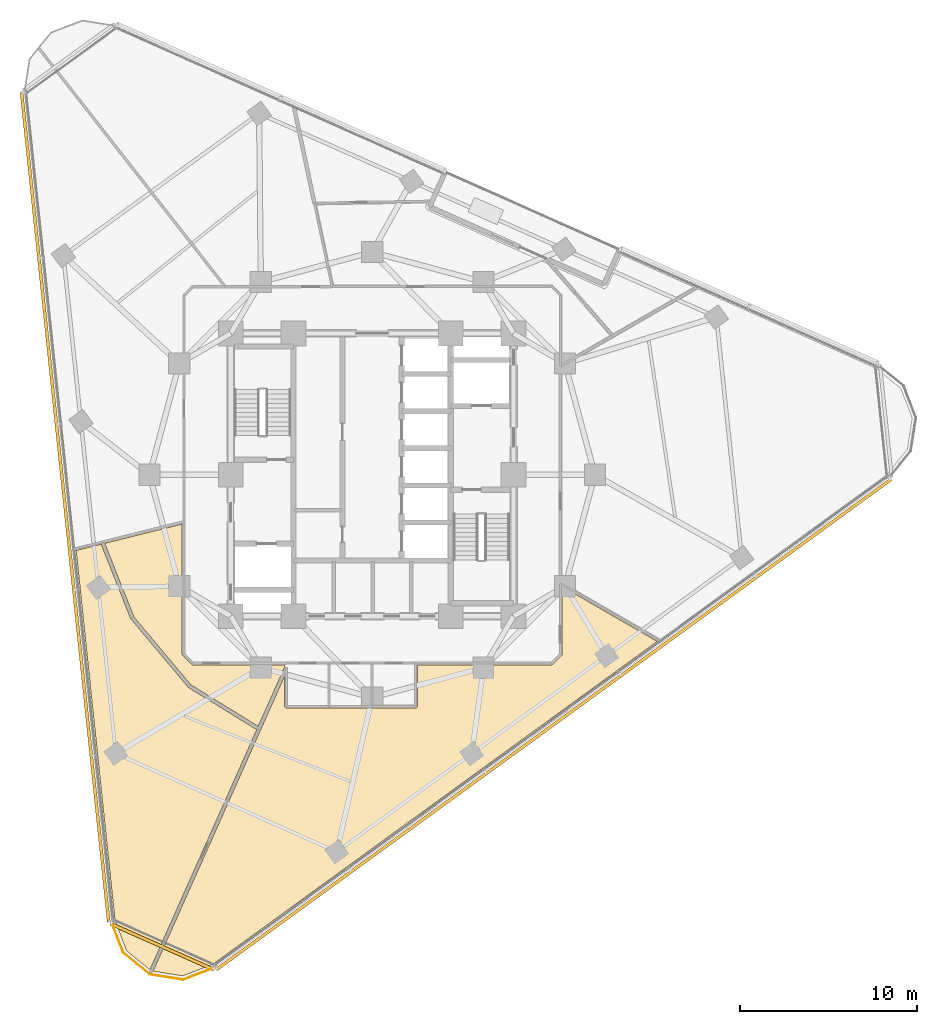
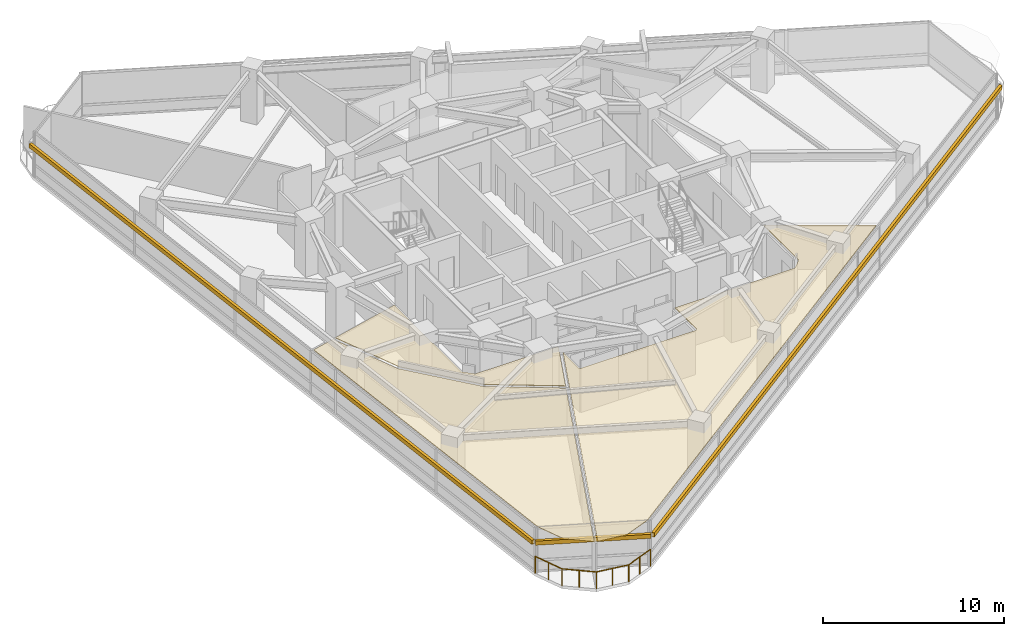
# One storey, part 12 of 14: 3 coverings, 3 shading devices, 1 railing.
"""IFC4 building model written with IfcOpenShell, lengths in metres."""

from ifc_helpers import new_model, si_unit, direction, frame, origin, origin_2d, place, context, subcontext, project, spatial, polyline, rectangle, circle, outline, extrude, material, layer, layer_set, type_object, element, save


model = new_model("IFC4")

# Units and contexts
model_context = context("Model", 3, precision=1e-05, world=origin(), true_north=direction((0.0, 1.0)))
body_context = subcontext(model_context, "Body", "Model", "MODEL_VIEW")
ifc_project = project(units=[si_unit("LENGTHUNIT", "METRE"), si_unit("AREAUNIT", "SQUARE_METRE"), si_unit("VOLUMEUNIT", "CUBIC_METRE"), si_unit("PLANEANGLEUNIT", "RADIAN"), si_unit("MASSUNIT", "GRAM", prefix="KILO")], contexts=[model_context])

# Site, building, storey
site_placement = place(None, origin())
site = spatial("IfcSite", under=ifc_project, at=site_placement, CompositionType="ELEMENT")
building_placement = place(site_placement, origin())
building = spatial("IfcBuilding", under=site, at=building_placement, Name="Terralouvre Media Tower", CompositionType="ELEMENT")
storey_placement = place(building_placement, frame((0.0, 0.0, 176.800048828125)))
storey = spatial("IfcBuildingStorey", under=building, at=storey_placement, Name="L45", CompositionType="ELEMENT", Elevation=176.800048828125)

# Coverings
ifc_material_1 = material(Name="Perforated aluminium acoustic ceiling baffle", Category="aluminium")
ifc_layer_1 = layer(ifc_material_1, 0.0400390625, Name="Perforated Acoustic Metal Tile Ceiling CL-AC1")
ifc_layer_set_1 = layer_set([ifc_layer_1], Name="Perforated aluminium acoustic ceiling baffle")
covering_type = type_object("IfcCoveringType", Name="Perforated Acoustic Metal Tile Ceiling CL-AC1", PredefinedType="CEILING", material=ifc_layer_set_1)
covering_1_placement = place(storey_placement, frame((0.0, 0.0, 2.97998046875), z_axis=(0.0, 0.0, 1.0), x_axis=(0.809016994375, 0.587785252292, 0.0)))
element("IfcCovering", 1, at=covering_1_placement, inside=storey, type_object=covering_type, Name="L45 Data Visualization Workspace 1 Acoustic Ceiling", PredefinedType="CEILING", context=body_context, shape_type="SweptSolid", body=[
    extrude(outline(polyline([(-15.635009765625, 1.413818359375), (-15.286376953125, -3.576416015625), (-13.58154296875, -7.725341796875), (-10.394775390625, -5.8857421875), (-10.3232421875, -5.787353515625), (-14.5302734375, -2.73095703125), (-14.537841796875, -2.724853515625), (-14.544921875, -2.718017578125), (-14.55126953125, -2.71044921875), (-14.556640625, -2.7021484375), (-14.561279296875, -2.693603515625), (-14.565185546875, -2.6845703125), (-14.568115234375, -2.67529296875), (-14.570068359375, -2.665771484375), (-14.680908203125, -1.96728515625), (-14.681884765625, -1.95751953125), (-14.681884765625, -1.94775390625), (-14.68115234375, -1.93798828125), (-14.67919921875, -1.92822265625), (-14.676513671875, -1.918701171875), (-14.6728515625, -1.90966796875), (-14.668212890625, -1.901123046875), (-14.662841796875, -1.892822265625), (-10.332763671875, 4.067138671875), (-14.524169921875, 5.759765625), (-15.635009765625, 1.413818359375)])), origin(), (0.0, 0.0, 1.0), 0.0400390625),
])
covering_2_placement = place(storey_placement, frame((0.0, 0.0, 2.97998046875), z_axis=(0.0, 0.0, 1.0), x_axis=(0.809016994375, 0.587785252292, 0.0)))
element("IfcCovering", 2, at=covering_2_placement, inside=storey, type_object=covering_type, Name="L45 UX Sprint Project Conference Room 2 Acoustic Ceiling", PredefinedType="CEILING", context=body_context, shape_type="SweptSolid", body=[
    extrude(outline(polyline([(-15.4775390625, -3.637451171875), (-15.48095703125, -3.627197265625), (-15.4833984375, -3.616943359375), (-15.484619140625, -3.6064453125), (-15.835693359375, 1.416015625), (-15.835693359375, 1.4267578125), (-15.834716796875, 1.4375), (-15.832763671875, 1.44775390625), (-14.71142578125, 5.83544921875), (-16.065673828125, 6.38330078125), (-26.59912109375, -11.860107421875), (-27.072509765625, -13.62548828125), (-26.6337890625, -15.26220703125), (-13.756103515625, -7.826171875), (-15.4775390625, -3.637451171875)])), origin(), (0.0, 0.0, 1.0), 0.0400390625),
])
covering_3_placement = place(storey_placement, frame((0.0, 0.0, 2.97998046875), z_axis=(0.0, 0.0, 1.0), x_axis=(0.809016994375, 0.587785252292, 0.0)))
element("IfcCovering", 3, at=covering_3_placement, inside=storey, type_object=covering_type, Name="L45 Design Critique Boardroom 3 Acoustic Ceiling", PredefinedType="CEILING", context=body_context, shape_type="SweptSolid", body=[
    extrude(outline(polyline([(2.73095703125, -14.5302734375), (2.724853515625, -14.537841796875), (2.718017578125, -14.544921875), (2.71044921875, -14.55126953125), (2.7021484375, -14.556640625), (2.693603515625, -14.561279296875), (2.6845703125, -14.565185546875), (2.67529296875, -14.568115234375), (2.665771484375, -14.570068359375), (1.96728515625, -14.680908203125), (1.95751953125, -14.681884765625), (1.94775390625, -14.681884765625), (1.93798828125, -14.68115234375), (1.92822265625, -14.67919921875), (1.918701171875, -14.676513671875), (1.90966796875, -14.6728515625), (1.901123046875, -14.668212890625), (1.892822265625, -14.662841796875), (-4.255615234375, -10.19580078125), (-5.636962890625, -12.096923828125), (-5.64306640625, -12.1044921875), (-5.64990234375, -12.111572265625), (-5.657470703125, -12.117919921875), (-5.665771484375, -12.12353515625), (-5.67431640625, -12.128173828125), (-5.683349609375, -12.132080078125), (-5.692626953125, -12.135009765625), (-5.7021484375, -12.136962890625), (-5.712158203125, -12.137939453125), (-5.7216796875, -12.13818359375), (-5.731689453125, -12.13720703125), (-5.7412109375, -12.135498046875), (-5.750732421875, -12.132568359375), (-5.759765625, -12.12890625), (-5.7685546875, -12.12451171875), (-5.776611328125, -12.119140625), (-11.6826171875, -7.828369140625), (-11.690185546875, -7.822021484375), (-11.697265625, -7.815185546875), (-11.703369140625, -7.807861328125), (-11.708984375, -7.799560546875), (-11.713623046875, -7.791015625), (-11.717529296875, -7.781982421875), (-11.720458984375, -7.772705078125), (-11.722412109375, -7.762939453125), (-11.7236328125, -7.753173828125), (-11.7236328125, -7.743408203125), (-11.72265625, -7.733642578125), (-11.720947265625, -7.72412109375), (-11.71826171875, -7.714599609375), (-11.714599609375, -7.70556640625), (-11.7099609375, -7.69677734375), (-11.70458984375, -7.6884765625), (-10.683837890625, -6.28369140625), (-13.58056640625, -7.955810546875), (-26.53369140625, -15.435302734375), (-25.3359375, -16.632568359375), (-23.571044921875, -17.10546875), (7.505859375, -17.105224609375), (4.98095703125, -11.433349609375), (2.73095703125, -14.5302734375)])), origin(), (0.0, 0.0, 1.0), 0.0400390625),
])

# Railing
ifc_material_2 = material(Name="Stainless steel 316 handrail and balustrade", Category="steel")
ifc_layer_2 = layer(ifc_material_2, 0.06005859375, Name="Roof Edge Safety Guardrail GR-ROOF1")
ifc_layer_set_2 = layer_set([ifc_layer_2], Name="Stainless steel 316 handrail and balustrade")
railing_type = type_object("IfcRailingType", Name="Roof Edge Safety Guardrail GR-ROOF1", PredefinedType="GUARDRAIL", material=ifc_layer_set_2)
railing_placement = place(storey_placement, frame((-14.756103515625, -25.268798828125, 0.0)))
element("IfcRailing", 4, at=railing_placement, inside=storey, type_object=railing_type, Name="L45 Wind-Corner Perimeter Safety Guardrail C0", PredefinedType="GUARDRAIL", context=body_context, shape_type="SweptSolid", body=[
    extrude(circle(Radius=0.02099609375, at=origin_2d()), frame((0.0, 0.0, 1.12890625), z_axis=(0.358184292829, -0.933650904981, 0.0), x_axis=(0.933650904981, 0.358184292829, 0.0)), (0.0, 0.0, 1.0), 1.91455078125),
    extrude(circle(Radius=0.02099609375, at=origin_2d()), frame((0.685791015625, -1.78759765625, 1.12890625), z_axis=(0.777022086472, -0.62947333314, 0.0), x_axis=(0.62947333314, 0.777022086472, 0.0)), (0.0, 0.0, 1.0), 1.914306640625),
    extrude(circle(Radius=0.02099609375, at=origin_2d()), frame((2.17333984375, -2.99267578125, 1.12890625), z_axis=(0.987721569441, -0.156224521958, 0.0), x_axis=(0.156224521958, 0.987721569441, 0.0)), (0.0, 0.0, 1.0), 1.914306640625),
    extrude(circle(Radius=0.02099609375, at=origin_2d()), frame((4.064208984375, -3.291748046875, 1.12890625), z_axis=(0.933506543973, 0.358560360832, 0.0), x_axis=(-0.358560360832, 0.933506543973, 0.0)), (0.0, 0.0, 1.0), 1.91455078125),
    extrude(circle(Radius=0.01904296875, at=origin_2d()), origin(), (0.0, 0.0, 1.0), 1.10791015625),
    extrude(circle(Radius=0.01904296875, at=origin_2d()), frame((0.3427734375, -0.893798828125, 0.0)), (0.0, 0.0, 1.0), 1.10791015625),
    extrude(circle(Radius=0.01904296875, at=origin_2d()), frame((0.685791015625, -1.78759765625, 0.0)), (0.0, 0.0, 1.0), 1.10791015625),
    extrude(circle(Radius=0.01904296875, at=origin_2d()), frame((1.4296875, -2.39013671875, 0.0)), (0.0, 0.0, 1.0), 1.10791015625),
    extrude(circle(Radius=0.01904296875, at=origin_2d()), frame((2.17333984375, -2.99267578125, 0.0)), (0.0, 0.0, 1.0), 1.10791015625),
    extrude(circle(Radius=0.01904296875, at=origin_2d()), frame((3.11865234375, -3.14208984375, 0.0)), (0.0, 0.0, 1.0), 1.10791015625),
    extrude(circle(Radius=0.01904296875, at=origin_2d()), frame((4.064208984375, -3.291748046875, 0.0)), (0.0, 0.0, 1.0), 1.10791015625),
    extrude(circle(Radius=0.01904296875, at=origin_2d()), frame((4.9580078125, -2.948486328125, 0.0)), (0.0, 0.0, 1.0), 1.10791015625),
    extrude(circle(Radius=0.01904296875, at=origin_2d()), frame((5.8515625, -2.605224609375, 0.0)), (0.0, 0.0, 1.0), 1.10791015625),
])

# Shading devices
ifc_material_3 = material(Name="Extruded terracotta baguette sunshade louvres", Category="masonry")
shading_device_type = type_object("IfcShadingDeviceType", Name="Terracotta Baguette Sunshade Louvre Screen TB-LV1", PredefinedType="USERDEFINED", material=ifc_material_3)
for number, where, z_axis, x_axis, name in (
    (5, (10.265869140625, -14.1298828125, 2.02392578125), (0.0, 0.0, 1.0), (0.809016917383, 0.587785358263, 0.0), "CW-L45-F0 Terracotta Baguette Sunshade Louvre"),
    (6, (-17.369873046875, -1.82568359375, 2.02392578125), (0.0, 0.0, 1.0), (0.104528376236, -0.994521904516, 0.0), "CW-L45-F2 Terracotta Baguette Sunshade Louvre"),
):
    element("IfcShadingDevice", number, at=place(storey_placement, frame(where, z_axis=z_axis, x_axis=x_axis)), inside=storey, type_object=shading_device_type, Name=name, ObjectType="BAGUETTE", PredefinedType="USERDEFINED", context=body_context, shape_type="SweptSolid", body=[
        extrude(rectangle(XDim=47.199951171875, YDim=0.179931640625, at=origin_2d()), origin(), (0.0, 0.0, 1.0), 0.280029296875),
    ])
shading_device_placement = place(storey_placement, frame((-11.88525390625, -26.694580078125, 2.02392578125), z_axis=(0.0, 0.0, 1.0), x_axis=(0.913545408199, -0.406736754128, 0.0)))
element("IfcShadingDevice", 7, at=shading_device_placement, inside=storey, type_object=shading_device_type, Name="CW-L45-C0 Terracotta Baguette Sunshade Louvre", ObjectType="BAGUETTE", PredefinedType="USERDEFINED", context=body_context, shape_type="SweptSolid", body=[
    extrude(rectangle(XDim=6.40869140625, YDim=0.179931640625, at=origin_2d()), origin(), (0.0, 0.0, 1.0), 0.280029296875),
])

save(model, "model.ifc")
